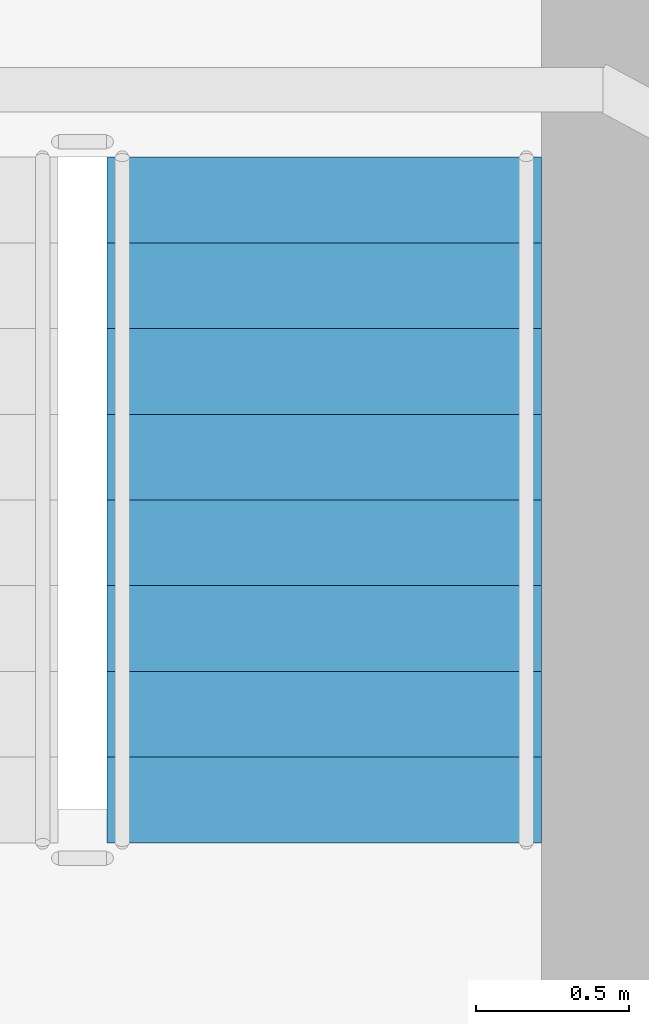
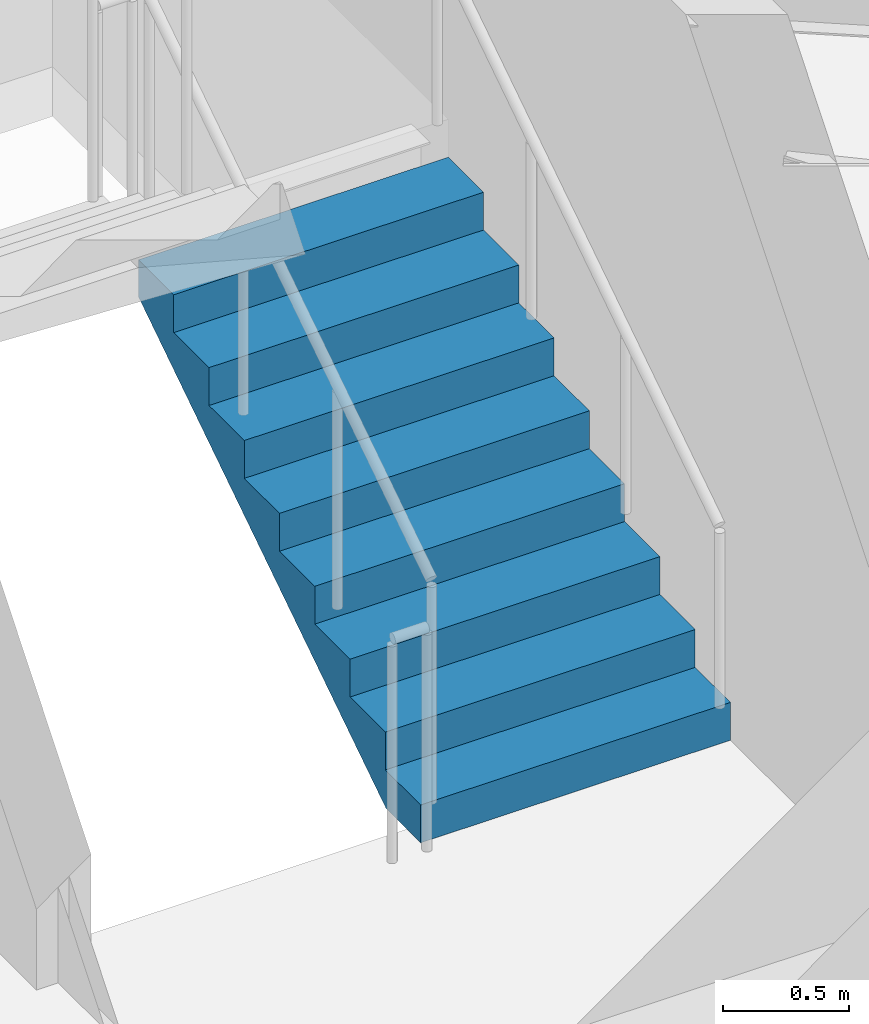
# One storey, part 31 of 34: 1 stair flight, 1 element without a shape of its own.
"""IFC4 building model written with IfcOpenShell, lengths in metres."""

from ifc_helpers import new_model, si_unit, direction, frame, origin, place, context, subcontext, project, spatial, polyline, outline, extrude, material, type_object, element, aggregate, save


model = new_model("IFC4")

# Units and contexts
model_context = context("Model", 3, precision=1e-05, world=origin(), true_north=direction((0.0, 1.0)))
body_context = subcontext(model_context, "Body", "Model", "MODEL_VIEW")
ifc_project = project(units=[si_unit("LENGTHUNIT", "METRE"), si_unit("AREAUNIT", "SQUARE_METRE"), si_unit("VOLUMEUNIT", "CUBIC_METRE"), si_unit("PLANEANGLEUNIT", "RADIAN"), si_unit("MASSUNIT", "GRAM", prefix="KILO")], contexts=[model_context])

# Site, building, storey
site_placement = place(None, origin())
site = spatial("IfcSite", under=ifc_project, at=site_placement, CompositionType="ELEMENT")
building_placement = place(site_placement, origin())
building = spatial("IfcBuilding", under=site, at=building_placement, Name="Orvanel Arch Residences", CompositionType="ELEMENT")
storey_placement = place(building_placement, frame((0.0, 0.0, 199.699951171875)))
storey = spatial("IfcBuildingStorey", under=building, at=storey_placement, Name="L56", CompositionType="ELEMENT", Elevation=199.699951171875)

# Stair, stair flight
ifc_material = material(Name="Precast concrete N50 (50 MPa)", Category="concrete")
stair_type = type_object("IfcStairType", Name="STR-DOG-184", PredefinedType="USERDEFINED", material=ifc_material)
stair_placement = place(storey_placement, origin())
stair = element("IfcStair", 1, at=stair_placement, inside=storey, type_object=stair_type, Name="L56 Fire-Isolated Core Exit Stair 2", ObjectType="TWO_RETURN_STAIR", PredefinedType="USERDEFINED")
stair_flight_type = type_object("IfcStairFlightType", Name="SFL-C2-184", PredefinedType="STRAIGHT", material=ifc_material)
stair_flight_placement = place(storey_placement, frame((38.68994140625, 28.320068359375, 0.0), z_axis=(0.0, 0.0, 1.0), x_axis=(0.0, 1.0, 0.0)))
stair_flight = element("IfcStairFlight", 2, at=stair_flight_placement, type_object=stair_flight_type, Name="ST-2 flight 1", NumberOfRisers=9, NumberOfTreads=8, PredefinedType="STRAIGHT", RiserHeight=0.183333333, TreadLength=0.28, context=body_context, shape_type="SweptSolid", body=[
    extrude(outline(polyline([(0.0, 0.0), (0.0, 0.183349609375), (0.280029296875, 0.183349609375), (0.280029296875, 0.36669921875), (0.56005859375, 0.36669921875), (0.56005859375, 0.550048828125), (0.840087890625, 0.550048828125), (0.840087890625, 0.7333984375), (1.1201171875, 0.7333984375), (1.1201171875, 0.916748046875), (1.39990234375, 0.916748046875), (1.39990234375, 1.10009765625), (1.679931640625, 1.10009765625), (1.679931640625, 1.283447265625), (1.9599609375, 1.283447265625), (1.9599609375, 1.466552734375), (2.239990234375, 1.466552734375), (2.239990234375, 1.64990234375), (2.239990234375, 1.28759765625), (0.273681640625, 0.0), (0.0, 0.0)])), frame((0.0, 0.7099609375, 0.0), z_axis=(0.0, -1.0, 0.0), x_axis=(1.0, 0.0, 0.0)), (0.0, 0.0, 1.0), 1.419921875),
])
aggregate(stair, [stair_flight])

save(model, "model.ifc")
